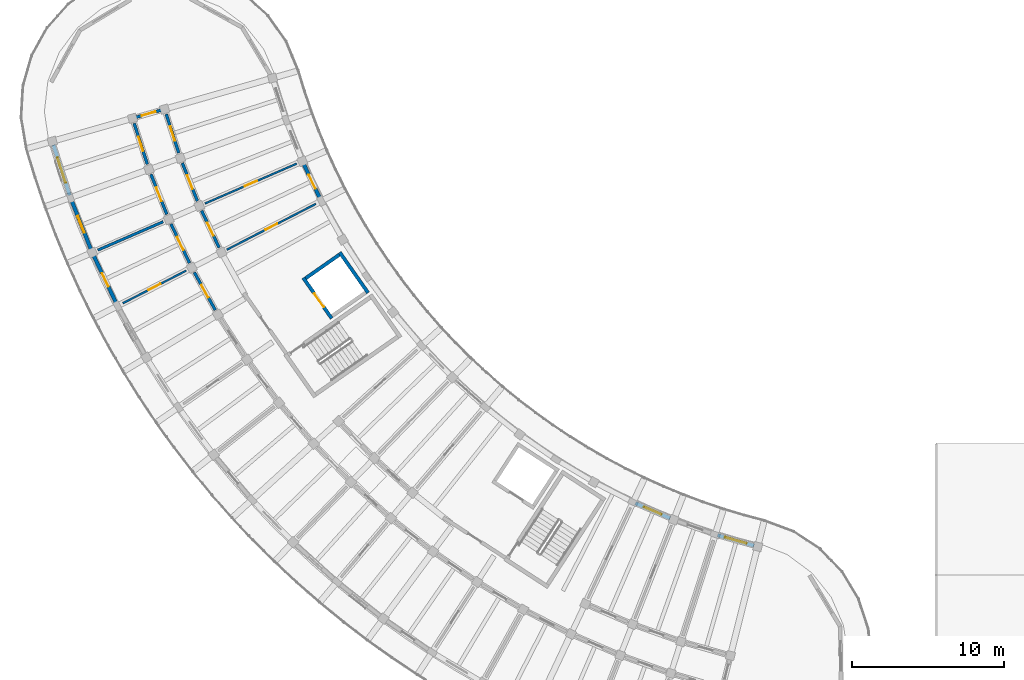
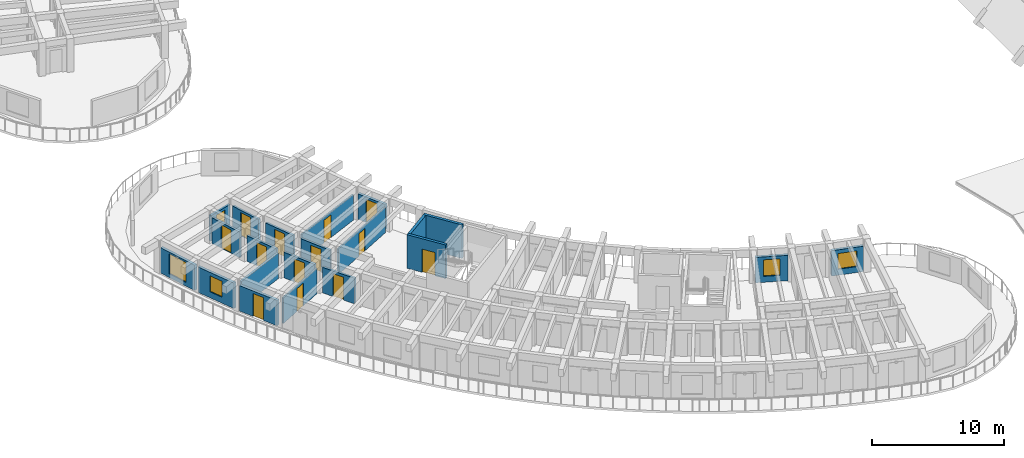
# One storey, part 43 of 81: 21 walls, 14 doors, 4 windows, 18 openings.
"""IFC4 building model written with IfcOpenShell, lengths in metres."""

from ifc_helpers import new_model, si_unit, direction, frame, frame_2d, origin, place, context, subcontext, project, spatial, rectangle, extrude, material, layer, layer_set, type_object, element, fill, save


model = new_model("IFC4")

# Units and contexts
model_context = context("Model", 3, precision=1e-05, world=origin(), true_north=direction((0.0, 1.0)))
body_context = subcontext(model_context, "Body", "Model", "MODEL_VIEW")
ifc_project = project(units=[si_unit("LENGTHUNIT", "METRE"), si_unit("AREAUNIT", "SQUARE_METRE"), si_unit("VOLUMEUNIT", "CUBIC_METRE"), si_unit("PLANEANGLEUNIT", "RADIAN"), si_unit("MASSUNIT", "GRAM", prefix="KILO")], contexts=[model_context])

# Site, building, storey
site_placement = place(None, origin())
site = spatial("IfcSite", under=ifc_project, at=site_placement, CompositionType="ELEMENT")
building_placement = place(site_placement, origin())
building = spatial("IfcBuilding", under=site, at=building_placement, Name="Tanwirah Colonnade Gardens", CompositionType="ELEMENT")
storey_placement = place(building_placement, frame((0.0, 0.0, 8.840087890625)))
storey = spatial("IfcBuildingStorey", under=building, at=storey_placement, Name="L02", CompositionType="ELEMENT", Elevation=8.840087890625)

# Wall, opening, window
ifc_material_1 = material(Name="Limestone architectural precast concrete C40/50", Category="masonry")
ifc_layer_1 = layer(ifc_material_1, 0.2451171875)
ifc_layer_set_1 = layer_set([ifc_layer_1], Name="Limestone architectural precast concrete C40/50")
wall_type_1 = type_object("IfcWallType", Name="EW-PC245", PredefinedType="SOLIDWALL", material=ifc_layer_set_1)
wall_1_placement = place(storey_placement, frame((7.83349609375, 47.847900390625, 0.0), z_axis=(0.0, 0.0, 1.0), x_axis=(0.306949591136, -0.951725773793, 0.0)))
wall_1 = element("IfcWall", 1, at=wall_1_placement, inside=storey, type_object=wall_type_1, Name="Block C L02 OUT Precast Facade Wall 0", PredefinedType="SOLIDWALL", context=body_context, shape_type="SweptSolid", body=[
    extrude(rectangle(XDim=3.48681640625, YDim=0.2451171875, at=frame_2d((1.743408203125, 0.0))), origin(), (0.0, 0.0, 1.0), 2.35498046875),
])
opening_1_placement = place(wall_1_placement, frame((0.868408203125, 0.0, 0.35009765625)))
opening_1 = element("IfcOpeningElement", 2, at=opening_1_placement, cuts=wall_1, Name="Opening WIN-T13", PredefinedType="OPENING", context=body_context, shape_type="SweptSolid", body=[
    extrude(rectangle(XDim=1.75, YDim=1.85009765625, at=frame_2d((0.875, 0.925048828125))), frame((0.0, 0.132568359375, 0.0), z_axis=(0.0, -1.0, 0.0), x_axis=(1.0, 0.0, 0.0)), (0.0, 0.0, 1.0), 0.26513671875),
])
ifc_material_2 = material(Name="Thermally broken bronze aluminium and solar low-E double glazing", Category="aluminium")
window_type_1 = type_object("IfcWindowType", Name="WIN-T13", PartitioningType="TRIPLE_PANEL_VERTICAL", PredefinedType="WINDOW", material=ifc_material_2)
window_1_placement = place(opening_1_placement, origin())
window_1 = element("IfcWindow", 3, at=window_1_placement, inside=storey, type_object=window_type_1, Name="Facade window C-L02-OUT-00", OverallHeight=1.85009765625, OverallWidth=1.75, PartitioningType="SINGLE_PANEL", PredefinedType="WINDOW", context=body_context, shape_type="SweptSolid", body=[
    extrude(rectangle(XDim=1.75, YDim=1.85009765625, at=frame_2d((0.875, 0.925048828125))), frame((0.0, 0.030029296875, 0.0), z_axis=(0.0, -1.0, 0.0), x_axis=(1.0, 0.0, 0.0)), (0.0, 0.0, 1.0), 0.06005859375),
])
fill(opening_1, window_1)

wall_2_placement = place(storey_placement, frame((9.011962890625, 44.228271484375, 0.0), z_axis=(0.0, 0.0, 1.0), x_axis=(0.368503667074, -0.929626294461, 0.0)))
wall_2 = element("IfcWall", 4, at=wall_2_placement, inside=storey, type_object=wall_type_1, Name="Block C L02 OUT Precast Facade Wall 1", PredefinedType="SOLIDWALL", context=body_context, shape_type="SweptSolid", body=[
    extrude(rectangle(XDim=3.48681640625, YDim=0.2451171875, at=frame_2d((1.743408203125, 0.0))), origin(), (0.0, 0.0, 1.0), 2.35498046875),
])
opening_2_placement = place(wall_2_placement, frame((1.1533203125, 0.0, 0.550048828125)))
opening_2 = element("IfcOpeningElement", 5, at=opening_2_placement, cuts=wall_2, Name="Opening WIN-T16", PredefinedType="OPENING", context=body_context, shape_type="SweptSolid", body=[
    extrude(rectangle(XDim=1.179931640625, YDim=1.47998046875, at=frame_2d((0.58984375, 0.739990234375))), frame((0.0, 0.132568359375, 0.0), z_axis=(0.0, -1.0, 0.0), x_axis=(1.0, 0.0, 0.0)), (0.0, 0.0, 1.0), 0.26513671875),
])
window_type_2 = type_object("IfcWindowType", Name="WIN-T16", PartitioningType="SINGLE_PANEL", PredefinedType="WINDOW", material=ifc_material_2)
window_2_placement = place(opening_2_placement, origin())
window_2 = element("IfcWindow", 6, at=window_2_placement, inside=storey, type_object=window_type_2, Name="Facade window C-L02-OUT-01", OverallHeight=1.47998046875, OverallWidth=1.179931640625, PartitioningType="SINGLE_PANEL", PredefinedType="WINDOW", context=body_context, shape_type="SweptSolid", body=[
    extrude(rectangle(XDim=1.179931640625, YDim=1.47998046875, at=frame_2d((0.58984375, 0.739990234375))), frame((0.0, 0.030029296875, 0.0), z_axis=(0.0, -1.0, 0.0), x_axis=(1.0, 0.0, 0.0)), (0.0, 0.0, 1.0), 0.06005859375),
])
fill(opening_2, window_2)

# Wall, opening, door
wall_3_placement = place(storey_placement, frame((10.49609375, 40.528564453125, 0.0), z_axis=(0.0, 0.0, 1.0), x_axis=(0.428576879122, -0.903505317462, 0.0)))
wall_3 = element("IfcWall", 7, at=wall_3_placement, inside=storey, type_object=wall_type_1, Name="Block C L02 OUT Precast Facade Wall 2", PredefinedType="SOLIDWALL", context=body_context, shape_type="SweptSolid", body=[
    extrude(rectangle(XDim=3.48681640625, YDim=0.2451171875, at=frame_2d((1.743408203125, 0.0))), origin(), (0.0, 0.0, 1.0), 2.35498046875),
])
opening_3_placement = place(wall_3_placement, frame((1.25341796875, 0.0, 0.0)))
opening_3 = element("IfcOpeningElement", 8, at=opening_3_placement, cuts=wall_3, Name="Opening L02-ED132", PredefinedType="OPENING", context=body_context, shape_type="SweptSolid", body=[
    extrude(rectangle(XDim=0.97998046875, YDim=2.1201171875, at=frame_2d((0.489990234375, 1.06005859375))), frame((0.0, 0.132568359375, 0.0), z_axis=(0.0, -1.0, 0.0), x_axis=(1.0, 0.0, 0.0)), (0.0, 0.0, 1.0), 0.26513671875),
])
ifc_material_3 = material(Name="Bronze aluminium glazed balcony door", Category="aluminium")
door_type_1 = type_object("IfcDoorType", Name="ED-BAL098", OperationType="NOTDEFINED", PredefinedType="DOOR", material=ifc_material_3)
door_1_placement = place(opening_3_placement, origin())
door_1 = element("IfcDoor", 9, at=door_1_placement, inside=storey, type_object=door_type_1, Name="Balcony glazed door L02-ED132", OperationType="SINGLE_SWING_LEFT", OverallHeight=2.1201171875, OverallWidth=0.97998046875, PredefinedType="DOOR", context=body_context, shape_type="SweptSolid", body=[
    extrude(rectangle(XDim=0.97998046875, YDim=2.1201171875, at=frame_2d((0.489990234375, 1.06005859375))), frame((0.0, 0.02490234375, 0.0), z_axis=(0.0, -1.0, 0.0), x_axis=(1.0, 0.0, 0.0)), (0.0, 0.0, 1.0), 0.050048828125),
])
fill(opening_3, door_1)

wall_4_placement = place(storey_placement, frame((24.34375, 46.5498046875, 0.0), z_axis=(0.0, 0.0, 1.0), x_axis=(0.428514676045, -0.903534820809, 0.0)))
wall_4 = element("IfcWall", 10, at=wall_4_placement, inside=storey, type_object=wall_type_1, Name="Block C L02 IN Precast Facade Wall 2", PredefinedType="SOLIDWALL", context=body_context, shape_type="SweptSolid", body=[
    extrude(rectangle(XDim=2.498779296875, YDim=0.2451171875, at=frame_2d((1.24951171875, 0.0))), origin(), (0.0, 0.0, 1.0), 2.35498046875),
])
opening_4_placement = place(wall_4_placement, frame((0.739501953125, 0.0, 0.0)))
opening_4 = element("IfcOpeningElement", 11, at=opening_4_placement, cuts=wall_4, Name="Opening L02-ED133", PredefinedType="OPENING", context=body_context, shape_type="SweptSolid", body=[
    extrude(rectangle(XDim=1.02001953125, YDim=2.139892578125, at=frame_2d((0.510009765625, 1.06982421875))), frame((0.0, 0.132568359375, 0.0), z_axis=(0.0, -1.0, 0.0), x_axis=(1.0, 0.0, 0.0)), (0.0, 0.0, 1.0), 0.26513671875),
])
door_type_2 = type_object("IfcDoorType", Name="ED-BAL102", OperationType="NOTDEFINED", PredefinedType="DOOR", material=ifc_material_3)
door_2_placement = place(opening_4_placement, origin())
door_2 = element("IfcDoor", 12, at=door_2_placement, inside=storey, type_object=door_type_2, Name="Balcony glazed door L02-ED133", OperationType="SINGLE_SWING_LEFT", OverallHeight=2.139892578125, OverallWidth=1.02001953125, PredefinedType="DOOR", context=body_context, shape_type="SweptSolid", body=[
    extrude(rectangle(XDim=1.02001953125, YDim=2.139892578125, at=frame_2d((0.510009765625, 1.06982421875))), frame((0.0, 0.02490234375, 0.0), z_axis=(0.0, -1.0, 0.0), x_axis=(1.0, 0.0, 0.0)), (0.0, 0.0, 1.0), 0.050048828125),
])
fill(opening_4, door_2)

# Wall, opening, window
wall_5_placement = place(storey_placement, frame((46.185791015625, 24.2333984375, 0.0), z_axis=(0.0, 0.0, 1.0), x_axis=(0.91795321239, -0.396688668686, 0.0)))
wall_5 = element("IfcWall", 13, at=wall_5_placement, inside=storey, type_object=wall_type_1, Name="Block C L02 IN Precast Facade Wall 13", PredefinedType="SOLIDWALL", context=body_context, shape_type="SweptSolid", body=[
    extrude(rectangle(XDim=2.498779296875, YDim=0.2451171875, at=frame_2d((1.24951171875, 0.0))), origin(), (0.0, 0.0, 1.0), 2.35498046875),
])
opening_5_placement = place(wall_5_placement, frame((0.62939453125, 0.0, 0.550048828125)))
opening_5 = element("IfcOpeningElement", 14, at=opening_5_placement, cuts=wall_5, Name="Opening WIN-U03", PredefinedType="OPENING", context=body_context, shape_type="SweptSolid", body=[
    extrude(rectangle(XDim=1.239990234375, YDim=1.534912109375, at=frame_2d((0.6201171875, 0.767578125))), frame((0.0, 0.132568359375, 0.0), z_axis=(0.0, -1.0, 0.0), x_axis=(1.0, 0.0, 0.0)), (0.0, 0.0, 1.0), 0.26513671875),
])
window_type_3 = type_object("IfcWindowType", Name="WIN-U03", PartitioningType="DOUBLE_PANEL_VERTICAL", PredefinedType="WINDOW", material=ifc_material_2)
window_3_placement = place(opening_5_placement, origin())
window_3 = element("IfcWindow", 15, at=window_3_placement, inside=storey, type_object=window_type_3, Name="Facade window C-L02-IN-13", OverallHeight=1.534912109375, OverallWidth=1.239990234375, PartitioningType="SINGLE_PANEL", PredefinedType="WINDOW", context=body_context, shape_type="SweptSolid", body=[
    extrude(rectangle(XDim=1.239990234375, YDim=1.534912109375, at=frame_2d((0.6201171875, 0.767578125))), frame((0.0, 0.030029296875, 0.0), z_axis=(0.0, -1.0, 0.0), x_axis=(1.0, 0.0, 0.0)), (0.0, 0.0, 1.0), 0.06005859375),
])
fill(opening_5, window_3)

wall_6_placement = place(storey_placement, frame((51.602783203125, 22.122314453125, 0.0), z_axis=(0.0, 0.0, 1.0), x_axis=(0.961847744742, -0.273585299195, 0.0)))
wall_6 = element("IfcWall", 16, at=wall_6_placement, inside=storey, type_object=wall_type_1, Name="Block C L02 IN Precast Facade Wall 15", PredefinedType="SOLIDWALL", context=body_context, shape_type="SweptSolid", body=[
    extrude(rectangle(XDim=2.49853515625, YDim=0.2451171875, at=frame_2d((1.249267578125, 0.0))), origin(), (0.0, 0.0, 1.0), 2.35498046875),
])
opening_6_placement = place(wall_6_placement, frame((0.509521484375, 0.0, 0.550048828125)))
opening_6 = element("IfcOpeningElement", 17, at=opening_6_placement, cuts=wall_6, Name="Opening WIN-U09", PredefinedType="OPENING", context=body_context, shape_type="SweptSolid", body=[
    extrude(rectangle(XDim=1.47998046875, YDim=1.4599609375, at=frame_2d((0.739990234375, 0.72998046875))), frame((0.0, 0.132568359375, 0.0), z_axis=(0.0, -1.0, 0.0), x_axis=(1.0, 0.0, 0.0)), (0.0, 0.0, 1.0), 0.26513671875),
])
window_type_4 = type_object("IfcWindowType", Name="WIN-U09", PartitioningType="DOUBLE_PANEL_VERTICAL", PredefinedType="WINDOW", material=ifc_material_2)
window_4_placement = place(opening_6_placement, origin())
window_4 = element("IfcWindow", 18, at=window_4_placement, inside=storey, type_object=window_type_4, Name="Facade window C-L02-IN-15", OverallHeight=1.4599609375, OverallWidth=1.47998046875, PartitioningType="SINGLE_PANEL", PredefinedType="WINDOW", context=body_context, shape_type="SweptSolid", body=[
    extrude(rectangle(XDim=1.47998046875, YDim=1.4599609375, at=frame_2d((0.739990234375, 0.72998046875))), frame((0.0, 0.030029296875, 0.0), z_axis=(0.0, -1.0, 0.0), x_axis=(1.0, 0.0, 0.0)), (0.0, 0.0, 1.0), 0.06005859375),
])
fill(opening_6, window_4)

# Wall, opening, door
ifc_material_4 = material(Name="Precast concrete C40/50", Category="concrete")
ifc_layer_2 = layer(ifc_material_4, 0.195068359375)
ifc_layer_set_2 = layer_set([ifc_layer_2], Name="Precast concrete C40/50")
wall_type_2 = type_object("IfcWallType", Name="IW-CORR195", PredefinedType="PARTITIONING", material=ifc_layer_set_2)
wall_7_placement = place(storey_placement, frame((13.151123046875, 49.268798828125, 0.0), z_axis=(0.0, 0.0, 1.0), x_axis=(0.30694495224, -0.951727269912, 0.0)))
wall_7 = element("IfcWall", 19, at=wall_7_placement, inside=storey, type_object=wall_type_2, Name="Block C L02 OUT Corridor Wall 0", PredefinedType="PARTITIONING", context=body_context, shape_type="SweptSolid", body=[
    extrude(rectangle(XDim=2.837158203125, YDim=0.195068359375, at=frame_2d((1.41845703125, 0.0))), origin(), (0.0, 0.0, 1.0), 2.369873046875),
])
opening_7_placement = place(wall_7_placement, frame((0.923583984375, 0.0, 0.0)))
opening_7 = element("IfcOpeningElement", 20, at=opening_7_placement, cuts=wall_7, Name="Opening L02-AD1353", PredefinedType="OPENING", context=body_context, shape_type="SweptSolid", body=[
    extrude(rectangle(XDim=0.989990234375, YDim=2.159912109375, at=frame_2d((0.4951171875, 1.080078125))), frame((0.0, 0.107421875, 0.0), z_axis=(0.0, -1.0, 0.0), x_axis=(1.0, 0.0, 0.0)), (0.0, 0.0, 1.0), 0.215087890625),
])
ifc_material_5 = material(Name="Solid oak fire-resisting apartment entrance door")
door_type_3 = type_object("IfcDoorType", Name="ID-FLT099", OperationType="NOTDEFINED", PredefinedType="DOOR", material=ifc_material_5)
door_3_placement = place(opening_7_placement, origin())
door_3 = element("IfcDoor", 21, at=door_3_placement, inside=storey, type_object=door_type_3, Name="Apartment corridor door L02-AD1353", OperationType="SINGLE_SWING_LEFT", OverallHeight=2.159912109375, OverallWidth=0.989990234375, PredefinedType="DOOR", context=body_context, shape_type="SweptSolid", body=[
    extrude(rectangle(XDim=0.989990234375, YDim=2.159912109375, at=frame_2d((0.4951171875, 1.080078125))), frame((0.0, 0.02490234375, 0.0), z_axis=(0.0, -1.0, 0.0), x_axis=(1.0, 0.0, 0.0)), (0.0, 0.0, 1.0), 0.050048828125),
])
fill(opening_7, door_3)

wall_8_placement = place(storey_placement, frame((15.26611328125, 49.875, 0.0), z_axis=(0.0, 0.0, 1.0), x_axis=(0.306883578189, -0.951747061691, 0.0)))
wall_8 = element("IfcWall", 22, at=wall_8_placement, inside=storey, type_object=wall_type_2, Name="Block C L02 IN Corridor Wall 0", PredefinedType="PARTITIONING", context=body_context, shape_type="SweptSolid", body=[
    extrude(rectangle(XDim=2.69287109375, YDim=0.195068359375, at=frame_2d((1.346435546875, 0.0))), origin(), (0.0, 0.0, 1.0), 2.369873046875),
])
opening_8_placement = place(wall_8_placement, frame((0.8515625, 0.0, 0.0)))
opening_8 = element("IfcOpeningElement", 23, at=opening_8_placement, cuts=wall_8, Name="Opening L02-AD1354", PredefinedType="OPENING", context=body_context, shape_type="SweptSolid", body=[
    extrude(rectangle(XDim=0.989990234375, YDim=2.159912109375, at=frame_2d((0.4951171875, 1.080078125))), frame((0.0, 0.107421875, 0.0), z_axis=(0.0, -1.0, 0.0), x_axis=(1.0, 0.0, 0.0)), (0.0, 0.0, 1.0), 0.215087890625),
])
door_4_placement = place(opening_8_placement, origin())
door_4 = element("IfcDoor", 24, at=door_4_placement, inside=storey, type_object=door_type_3, Name="Apartment corridor door L02-AD1354", OperationType="SINGLE_SWING_RIGHT", OverallHeight=2.159912109375, OverallWidth=0.989990234375, PredefinedType="DOOR", context=body_context, shape_type="SweptSolid", body=[
    extrude(rectangle(XDim=0.989990234375, YDim=2.159912109375, at=frame_2d((0.4951171875, 1.080078125))), frame((0.0, 0.02490234375, 0.0), z_axis=(0.0, -1.0, 0.0), x_axis=(1.0, 0.0, 0.0)), (0.0, 0.0, 1.0), 0.050048828125),
])
fill(opening_8, door_4)

wall_9_placement = place(storey_placement, frame((14.25830078125, 45.91015625, 0.0), z_axis=(0.0, 0.0, 1.0), x_axis=(0.368584691693, -0.929594172233, 0.0)))
wall_9 = element("IfcWall", 25, at=wall_9_placement, inside=storey, type_object=wall_type_2, Name="Block C L02 OUT Corridor Wall 1", PredefinedType="PARTITIONING", context=body_context, shape_type="SweptSolid", body=[
    extrude(rectangle(XDim=2.8369140625, YDim=0.195068359375, at=frame_2d((1.41845703125, 0.0))), origin(), (0.0, 0.0, 1.0), 2.369873046875),
])
opening_9_placement = place(wall_9_placement, frame((0.93359375, 0.0, 0.0)))
opening_9 = element("IfcOpeningElement", 26, at=opening_9_placement, cuts=wall_9, Name="Opening L02-AD1355", PredefinedType="OPENING", context=body_context, shape_type="SweptSolid", body=[
    extrude(rectangle(XDim=0.969970703125, YDim=2.14990234375, at=frame_2d((0.48486328125, 1.074951171875))), frame((0.0, 0.107421875, 0.0), z_axis=(0.0, -1.0, 0.0), x_axis=(1.0, 0.0, 0.0)), (0.0, 0.0, 1.0), 0.215087890625),
])
door_type_4 = type_object("IfcDoorType", Name="ID-FLT097", OperationType="NOTDEFINED", PredefinedType="DOOR", material=ifc_material_5)
door_5_placement = place(opening_9_placement, origin())
door_5 = element("IfcDoor", 27, at=door_5_placement, inside=storey, type_object=door_type_4, Name="Apartment corridor door L02-AD1355", OperationType="SINGLE_SWING_RIGHT", OverallHeight=2.14990234375, OverallWidth=0.969970703125, PredefinedType="DOOR", context=body_context, shape_type="SweptSolid", body=[
    extrude(rectangle(XDim=0.969970703125, YDim=2.14990234375, at=frame_2d((0.48486328125, 1.074951171875))), frame((0.0, 0.02490234375, 0.0), z_axis=(0.0, -1.0, 0.0), x_axis=(1.0, 0.0, 0.0)), (0.0, 0.0, 1.0), 0.050048828125),
])
fill(opening_9, door_5)

wall_10_placement = place(storey_placement, frame((16.3291015625, 46.653564453125, 0.0), z_axis=(0.0, 0.0, 1.0), x_axis=(0.368528468945, -0.929616462622, 0.0)))
wall_10 = element("IfcWall", 28, at=wall_10_placement, inside=storey, type_object=wall_type_2, Name="Block C L02 IN Corridor Wall 1", PredefinedType="PARTITIONING", context=body_context, shape_type="SweptSolid", body=[
    extrude(rectangle(XDim=2.69287109375, YDim=0.195068359375, at=frame_2d((1.346435546875, 0.0))), origin(), (0.0, 0.0, 1.0), 2.369873046875),
])
opening_10_placement = place(wall_10_placement, frame((0.861572265625, 0.0, 0.0)))
opening_10 = element("IfcOpeningElement", 29, at=opening_10_placement, cuts=wall_10, Name="Opening L02-AD1356", PredefinedType="OPENING", context=body_context, shape_type="SweptSolid", body=[
    extrude(rectangle(XDim=0.969970703125, YDim=2.14990234375, at=frame_2d((0.48486328125, 1.074951171875))), frame((0.0, 0.107421875, 0.0), z_axis=(0.0, -1.0, 0.0), x_axis=(1.0, 0.0, 0.0)), (0.0, 0.0, 1.0), 0.215087890625),
])
door_6_placement = place(opening_10_placement, origin())
door_6 = element("IfcDoor", 30, at=door_6_placement, inside=storey, type_object=door_type_4, Name="Apartment corridor door L02-AD1356", OperationType="SINGLE_SWING_LEFT", OverallHeight=2.14990234375, OverallWidth=0.969970703125, PredefinedType="DOOR", context=body_context, shape_type="SweptSolid", body=[
    extrude(rectangle(XDim=0.969970703125, YDim=2.14990234375, at=frame_2d((0.48486328125, 1.074951171875))), frame((0.0, 0.02490234375, 0.0), z_axis=(0.0, -1.0, 0.0), x_axis=(1.0, 0.0, 0.0)), (0.0, 0.0, 1.0), 0.050048828125),
])
fill(opening_10, door_6)

wall_11_placement = place(storey_placement, frame((15.5830078125, 42.63134765625, 0.0), z_axis=(0.0, 0.0, 1.0), x_axis=(0.428493237107, -0.903544988229, 0.0)))
wall_11 = element("IfcWall", 31, at=wall_11_placement, inside=storey, type_object=wall_type_2, Name="Block C L02 OUT Corridor Wall 2", PredefinedType="PARTITIONING", context=body_context, shape_type="SweptSolid", body=[
    extrude(rectangle(XDim=2.8369140625, YDim=0.195068359375, at=frame_2d((1.41845703125, 0.0))), origin(), (0.0, 0.0, 1.0), 2.369873046875),
])
opening_11_placement = place(wall_11_placement, frame((0.943603515625, 0.0, 0.0)))
opening_11 = element("IfcOpeningElement", 32, at=opening_11_placement, cuts=wall_11, Name="Opening L02-AD1358", PredefinedType="OPENING", context=body_context, shape_type="SweptSolid", body=[
    extrude(rectangle(XDim=0.949951171875, YDim=2.1298828125, at=frame_2d((0.47509765625, 1.06494140625))), frame((0.0, 0.107421875, 0.0), z_axis=(0.0, -1.0, 0.0), x_axis=(1.0, 0.0, 0.0)), (0.0, 0.0, 1.0), 0.215087890625),
])
door_type_5 = type_object("IfcDoorType", Name="ID-FLT095", OperationType="NOTDEFINED", PredefinedType="DOOR", material=ifc_material_5)
door_7_placement = place(opening_11_placement, origin())
door_7 = element("IfcDoor", 33, at=door_7_placement, inside=storey, type_object=door_type_5, Name="Apartment corridor door L02-AD1358", OperationType="SINGLE_SWING_LEFT", OverallHeight=2.1298828125, OverallWidth=0.949951171875, PredefinedType="DOOR", context=body_context, shape_type="SweptSolid", body=[
    extrude(rectangle(XDim=0.949951171875, YDim=2.1298828125, at=frame_2d((0.47509765625, 1.06494140625))), frame((0.0, 0.02490234375, 0.0), z_axis=(0.0, -1.0, 0.0), x_axis=(1.0, 0.0, 0.0)), (0.0, 0.0, 1.0), 0.050048828125),
])
fill(opening_11, door_7)

wall_12_placement = place(storey_placement, frame((17.600341796875, 43.508544921875, 0.0), z_axis=(0.0, 0.0, 1.0), x_axis=(0.428550049392, -0.903518043631, 0.0)))
wall_12 = element("IfcWall", 34, at=wall_12_placement, inside=storey, type_object=wall_type_2, Name="Block C L02 IN Corridor Wall 2", PredefinedType="PARTITIONING", context=body_context, shape_type="SweptSolid", body=[
    extrude(rectangle(XDim=2.69287109375, YDim=0.195068359375, at=frame_2d((1.346435546875, 0.0))), origin(), (0.0, 0.0, 1.0), 2.369873046875),
])
opening_12_placement = place(wall_12_placement, frame((0.87158203125, 0.0, 0.0)))
opening_12 = element("IfcOpeningElement", 35, at=opening_12_placement, cuts=wall_12, Name="Opening L02-AD1359", PredefinedType="OPENING", context=body_context, shape_type="SweptSolid", body=[
    extrude(rectangle(XDim=0.949951171875, YDim=2.1298828125, at=frame_2d((0.47509765625, 1.06494140625))), frame((0.0, 0.107421875, 0.0), z_axis=(0.0, -1.0, 0.0), x_axis=(1.0, 0.0, 0.0)), (0.0, 0.0, 1.0), 0.215087890625),
])
door_8_placement = place(opening_12_placement, origin())
door_8 = element("IfcDoor", 36, at=door_8_placement, inside=storey, type_object=door_type_5, Name="Apartment corridor door L02-AD1359", OperationType="SINGLE_SWING_RIGHT", OverallHeight=2.1298828125, OverallWidth=0.949951171875, PredefinedType="DOOR", context=body_context, shape_type="SweptSolid", body=[
    extrude(rectangle(XDim=0.949951171875, YDim=2.1298828125, at=frame_2d((0.47509765625, 1.06494140625))), frame((0.0, 0.02490234375, 0.0), z_axis=(0.0, -1.0, 0.0), x_axis=(1.0, 0.0, 0.0)), (0.0, 0.0, 1.0), 0.050048828125),
])
fill(opening_12, door_8)

wall_13_placement = place(storey_placement, frame((17.118896484375, 39.4462890625, 0.0), z_axis=(0.0, 0.0, 1.0), x_axis=(0.48673124079, -0.8735517725, 0.0)))
wall_13 = element("IfcWall", 37, at=wall_13_placement, inside=storey, type_object=wall_type_2, Name="Block C L02 OUT Corridor Wall 3", PredefinedType="PARTITIONING", context=body_context, shape_type="SweptSolid", body=[
    extrude(rectangle(XDim=2.8369140625, YDim=0.195068359375, at=frame_2d((1.41845703125, 0.0))), origin(), (0.0, 0.0, 1.0), 2.369873046875),
])
opening_13_placement = place(wall_13_placement, frame((0.95361328125, 0.0, 0.0)))
opening_13 = element("IfcOpeningElement", 38, at=opening_13_placement, cuts=wall_13, Name="Opening L02-AD1362", PredefinedType="OPENING", context=body_context, shape_type="SweptSolid", body=[
    extrude(rectangle(XDim=0.929931640625, YDim=2.1201171875, at=frame_2d((0.46484375, 1.06005859375))), frame((0.0, 0.107421875, 0.0), z_axis=(0.0, -1.0, 0.0), x_axis=(1.0, 0.0, 0.0)), (0.0, 0.0, 1.0), 0.215087890625),
])
door_type_6 = type_object("IfcDoorType", Name="ID-FLT093", OperationType="NOTDEFINED", PredefinedType="DOOR", material=ifc_material_5)
door_9_placement = place(opening_13_placement, origin())
door_9 = element("IfcDoor", 39, at=door_9_placement, inside=storey, type_object=door_type_6, Name="Apartment corridor door L02-AD1362", OperationType="SINGLE_SWING_RIGHT", OverallHeight=2.1201171875, OverallWidth=0.929931640625, PredefinedType="DOOR", context=body_context, shape_type="SweptSolid", body=[
    extrude(rectangle(XDim=0.929931640625, YDim=2.1201171875, at=frame_2d((0.46484375, 1.06005859375))), frame((0.0, 0.02490234375, 0.0), z_axis=(0.0, -1.0, 0.0), x_axis=(1.0, 0.0, 0.0)), (0.0, 0.0, 1.0), 0.050048828125),
])
fill(opening_13, door_9)

wall_14_placement = place(storey_placement, frame((15.110595703125, 50.1943359375, 0.0), z_axis=(0.0, 0.0, 1.0), x_axis=(-0.961264701934, -0.275626872449, 0.0)))
wall_14 = element("IfcWall", 40, at=wall_14_placement, inside=storey, type_object=wall_type_2, Name="Block C L02 CS Corner Suite Corridor Wall", PredefinedType="PARTITIONING", context=body_context, shape_type="SweptSolid", body=[
    extrude(rectangle(XDim=2.10009765625, YDim=0.195068359375, at=frame_2d((1.050048828125, 0.0))), origin(), (0.0, 0.0, 1.0), 2.369873046875),
])
opening_14_placement = place(wall_14_placement, frame((0.570068359375, 0.0, 0.0)))
opening_14 = element("IfcOpeningElement", 41, at=opening_14_placement, cuts=wall_14, Name="Opening L02-CD1389", PredefinedType="OPENING", context=body_context, shape_type="SweptSolid", body=[
    extrude(rectangle(XDim=0.949951171875, YDim=2.1298828125, at=frame_2d((0.47509765625, 1.06494140625))), frame((0.0, 0.107421875, 0.0), z_axis=(0.0, -1.0, 0.0), x_axis=(1.0, 0.0, 0.0)), (0.0, 0.0, 1.0), 0.215087890625),
])
door_10_placement = place(opening_14_placement, origin())
door_10 = element("IfcDoor", 42, at=door_10_placement, inside=storey, type_object=door_type_5, Name="Corner suite entrance door L02-CD1389", OperationType="SINGLE_SWING_LEFT", OverallHeight=2.1298828125, OverallWidth=0.949951171875, PredefinedType="DOOR", context=body_context, shape_type="SweptSolid", body=[
    extrude(rectangle(XDim=0.949951171875, YDim=2.1298828125, at=frame_2d((0.47509765625, 1.06494140625))), frame((0.0, 0.02490234375, 0.0), z_axis=(0.0, -1.0, 0.0), x_axis=(1.0, 0.0, 0.0)), (0.0, 0.0, 1.0), 0.050048828125),
])
fill(opening_14, door_10)

# Wall
ifc_layer_3 = layer(ifc_material_4, 0.175048828125)
ifc_layer_set_3 = layer_set([ifc_layer_3], Name="Precast concrete C40/50")
wall_type_3 = type_object("IfcWallType", Name="IW-DEM175", PredefinedType="PARTITIONING", material=ifc_layer_set_3)
wall_15_placement = place(storey_placement, frame((15.066162109375, 42.7880859375, 0.0), z_axis=(0.0, 0.0, 1.0), x_axis=(-0.917071707884, -0.398722312643, 0.0)))
element("IfcWall", 43, at=wall_15_placement, inside=storey, type_object=wall_type_3, Name="Block C L02 Radial Partition 1", PredefinedType="PARTITIONING", context=body_context, shape_type="SweptSolid", body=[
    extrude(rectangle(XDim=4.699951171875, YDim=0.175048828125, at=frame_2d((2.35009765625, 0.0))), origin(), (0.0, 0.0, 1.0), 2.369873046875),
])

# Wall, opening, door
ifc_material_6 = material(Name="Moisture-resistant gypsum stud partition")
ifc_layer_4 = layer(ifc_material_6, 0.125)
ifc_layer_set_4 = layer_set([ifc_layer_4], Name="Moisture-resistant gypsum stud partition")
wall_type_4 = type_object("IfcWallType", Name="IW-INT125", PredefinedType="PARTITIONING", material=ifc_layer_set_4)
wall_16_placement = place(storey_placement, frame((23.869873046875, 46.6162109375, 0.0), z_axis=(0.0, 0.0, 1.0), x_axis=(-0.9170582943, -0.398753162817, 0.0)))
wall_16 = element("IfcWall", 44, at=wall_16_placement, inside=storey, type_object=wall_type_4, Name="Block C L02 Inner Radial Partition 1", PredefinedType="PARTITIONING", context=body_context, shape_type="SweptSolid", body=[
    extrude(rectangle(XDim=6.60009765625, YDim=0.125, at=frame_2d((3.300048828125, 0.0))), origin(), (0.0, 0.0, 1.0), 2.369873046875),
])
opening_15_placement = place(wall_16_placement, frame((2.85498046875, 0.0, 0.0)))
opening_15 = element("IfcOpeningElement", 45, at=opening_15_placement, cuts=wall_16, Name="Opening L02-RD1357", PredefinedType="OPENING", context=body_context, shape_type="SweptSolid", body=[
    extrude(rectangle(XDim=0.889892578125, YDim=2.10009765625, at=frame_2d((0.44482421875, 1.050048828125))), frame((0.0, 0.072509765625, 0.0), z_axis=(0.0, -1.0, 0.0), x_axis=(1.0, 0.0, 0.0)), (0.0, 0.0, 1.0), 0.14501953125),
])
ifc_material_7 = material(Name="Painted hardwood bedroom door", Category="wood")
door_type_7 = type_object("IfcDoorType", Name="ID-RM089", OperationType="NOTDEFINED", PredefinedType="DOOR", material=ifc_material_7)
door_11_placement = place(opening_15_placement, origin())
door_11 = element("IfcDoor", 46, at=door_11_placement, inside=storey, type_object=door_type_7, Name="Internal apartment door L02-RD1357", OperationType="SINGLE_SWING_LEFT", OverallHeight=2.10009765625, OverallWidth=0.889892578125, PredefinedType="DOOR", context=body_context, shape_type="SweptSolid", body=[
    extrude(rectangle(XDim=0.889892578125, YDim=2.10009765625, at=frame_2d((0.44482421875, 1.050048828125))), frame((0.0, 0.02490234375, 0.0), z_axis=(0.0, -1.0, 0.0), x_axis=(1.0, 0.0, 0.0)), (0.0, 0.0, 1.0), 0.050048828125),
])
fill(opening_15, door_11)

wall_17_placement = place(storey_placement, frame((16.593017578125, 39.56884765625, 0.0), z_axis=(0.0, 0.0, 1.0), x_axis=(-0.889013002038, -0.457881952262, 0.0)))
wall_17 = element("IfcWall", 47, at=wall_17_placement, inside=storey, type_object=wall_type_4, Name="Block C L02 Radial Partition 2", PredefinedType="PARTITIONING", context=body_context, shape_type="SweptSolid", body=[
    extrude(rectangle(XDim=4.7001953125, YDim=0.125, at=frame_2d((2.35009765625, 0.0))), origin(), (0.0, 0.0, 1.0), 2.369873046875),
])
opening_16_placement = place(wall_17_placement, frame((1.905029296875, 0.0, 0.0)))
opening_16 = element("IfcOpeningElement", 48, at=opening_16_placement, cuts=wall_17, Name="Opening L02-RD1360", PredefinedType="OPENING", context=body_context, shape_type="SweptSolid", body=[
    extrude(rectangle(XDim=0.889892578125, YDim=2.10009765625, at=frame_2d((0.44482421875, 1.050048828125))), frame((0.0, 0.072509765625, 0.0), z_axis=(0.0, -1.0, 0.0), x_axis=(1.0, 0.0, 0.0)), (0.0, 0.0, 1.0), 0.14501953125),
])
door_12_placement = place(opening_16_placement, origin())
door_12 = element("IfcDoor", 49, at=door_12_placement, inside=storey, type_object=door_type_7, Name="Internal apartment door L02-RD1360", OperationType="SINGLE_SWING_LEFT", OverallHeight=2.10009765625, OverallWidth=0.889892578125, PredefinedType="DOOR", context=body_context, shape_type="SweptSolid", body=[
    extrude(rectangle(XDim=0.889892578125, YDim=2.10009765625, at=frame_2d((0.44482421875, 1.050048828125))), frame((0.0, 0.02490234375, 0.0), z_axis=(0.0, -1.0, 0.0), x_axis=(1.0, 0.0, 0.0)), (0.0, 0.0, 1.0), 0.050048828125),
])
fill(opening_16, door_12)

wall_18_placement = place(storey_placement, frame((25.127685546875, 43.96435546875, 0.0), z_axis=(0.0, 0.0, 1.0), x_axis=(-0.889022010753, -0.457864460727, 0.0)))
wall_18 = element("IfcWall", 50, at=wall_18_placement, inside=storey, type_object=wall_type_4, Name="Block C L02 Inner Radial Partition 2", PredefinedType="PARTITIONING", context=body_context, shape_type="SweptSolid", body=[
    extrude(rectangle(XDim=6.60009765625, YDim=0.125, at=frame_2d((3.300048828125, 0.0))), origin(), (0.0, 0.0, 1.0), 2.369873046875),
])
opening_17_placement = place(wall_18_placement, frame((2.864990234375, 0.0, 0.0)))
opening_17 = element("IfcOpeningElement", 51, at=opening_17_placement, cuts=wall_18, Name="Opening L02-RD1361", PredefinedType="OPENING", context=body_context, shape_type="SweptSolid", body=[
    extrude(rectangle(XDim=0.8701171875, YDim=2.080078125, at=frame_2d((0.43505859375, 1.0400390625))), frame((0.0, 0.072509765625, 0.0), z_axis=(0.0, -1.0, 0.0), x_axis=(1.0, 0.0, 0.0)), (0.0, 0.0, 1.0), 0.14501953125),
])
ifc_material_8 = material(Name="Painted hardwood study door", Category="wood")
door_type_8 = type_object("IfcDoorType", Name="ID-RM087", OperationType="NOTDEFINED", PredefinedType="DOOR", material=ifc_material_8)
door_13_placement = place(opening_17_placement, origin())
door_13 = element("IfcDoor", 52, at=door_13_placement, inside=storey, type_object=door_type_8, Name="Internal apartment door L02-RD1361", OperationType="SINGLE_SWING_RIGHT", OverallHeight=2.080078125, OverallWidth=0.8701171875, PredefinedType="DOOR", context=body_context, shape_type="SweptSolid", body=[
    extrude(rectangle(XDim=0.8701171875, YDim=2.080078125, at=frame_2d((0.43505859375, 1.0400390625))), frame((0.0, 0.02490234375, 0.0), z_axis=(0.0, -1.0, 0.0), x_axis=(1.0, 0.0, 0.0)), (0.0, 0.0, 1.0), 0.050048828125),
])
fill(opening_17, door_13)

ifc_material_9 = material(Name="Concrete C45/55", Category="concrete")
ifc_layer_5 = layer(ifc_material_9, 0.22998046875)
ifc_layer_set_5 = layer_set([ifc_layer_5], Name="Concrete C45/55")
wall_type_5 = type_object("IfcWallType", Name="SW-LIFT230", PredefinedType="SHEAR", material=ifc_layer_set_5)
wall_19_placement = place(storey_placement, frame((26.1689453125, 36.419189453125, 0.0), z_axis=(0.0, 0.0, 1.0), x_axis=(-0.573582966431, 0.819147471839, 0.0)))
wall_19 = element("IfcWall", 53, at=wall_19_placement, inside=storey, type_object=wall_type_5, Name="CORE-C1 L02 Lift Shaft Wall FRONT", PredefinedType="SHEAR", context=body_context, shape_type="SweptSolid", body=[
    extrude(rectangle(XDim=3.260009765625, YDim=0.22998046875, at=frame_2d((1.6298828125, 0.0))), origin(), (0.0, 0.0, 1.0), 3.10986328125),
])
opening_18_placement = place(wall_19_placement, frame((0.89990234375, 0.0, 0.0)))
opening_18 = element("IfcOpeningElement", 54, at=opening_18_placement, cuts=wall_19, Name="Opening L02-LD-FL-C1", PredefinedType="OPENING", context=body_context, shape_type="SweptSolid", body=[
    extrude(rectangle(XDim=1.10009765625, YDim=2.14990234375, at=frame_2d((0.550048828125, 1.074951171875))), frame((0.0, 0.125, 0.0), z_axis=(0.0, -1.0, 0.0), x_axis=(1.0, 0.0, 0.0)), (0.0, 0.0, 1.0), 0.25),
])
ifc_material_10 = material(Name="Stainless steel sliding fire lift landing door", Category="steel")
door_type_9 = type_object("IfcDoorType", Name="LD-FF11", OperationType="DOUBLE_DOOR_SLIDING", PredefinedType="DOOR", material=ifc_material_10)
door_14_placement = place(opening_18_placement, origin())
door_14 = element("IfcDoor", 55, at=door_14_placement, inside=storey, type_object=door_type_9, Name="Lift FL-C1 L02 Sliding Landing Door", OperationType="DOUBLE_DOOR_SLIDING", OverallHeight=2.14990234375, OverallWidth=1.10009765625, PredefinedType="DOOR", context=body_context, shape_type="SweptSolid", body=[
    extrude(rectangle(XDim=1.10009765625, YDim=2.14990234375, at=frame_2d((0.550048828125, 1.074951171875))), frame((0.0, 0.02490234375, 0.0), z_axis=(0.0, -1.0, 0.0), x_axis=(1.0, 0.0, 0.0)), (0.0, 0.0, 1.0), 0.050048828125),
])
fill(opening_18, door_14)

# Walls
wall_20_placement = place(storey_placement, frame((28.569091796875, 38.099609375, 0.0), z_axis=(0.0, 0.0, 1.0), x_axis=(-0.573582966431, 0.819147471839, 0.0)))
element("IfcWall", 56, at=wall_20_placement, inside=storey, type_object=wall_type_5, Name="CORE-C1 L02 Lift Shaft Wall BACK", PredefinedType="SHEAR", context=body_context, shape_type="SweptSolid", body=[
    extrude(rectangle(XDim=3.260009765625, YDim=0.22998046875, at=frame_2d((1.6298828125, 0.0))), origin(), (0.0, 0.0, 1.0), 3.10986328125),
])
wall_21_placement = place(storey_placement, frame((24.459228515625, 39.061279296875, 0.0), z_axis=(0.0, 0.0, 1.0), x_axis=(0.819189439894, 0.573523026186, 0.0)))
element("IfcWall", 57, at=wall_21_placement, inside=storey, type_object=wall_type_5, Name="CORE-C1 L02 Lift Shaft Wall SIDEB", PredefinedType="SHEAR", context=body_context, shape_type="SweptSolid", body=[
    extrude(rectangle(XDim=2.7001953125, YDim=0.22998046875, at=frame_2d((1.35009765625, 0.0))), origin(), (0.0, 0.0, 1.0), 3.10986328125),
])

save(model, "model.ifc")
